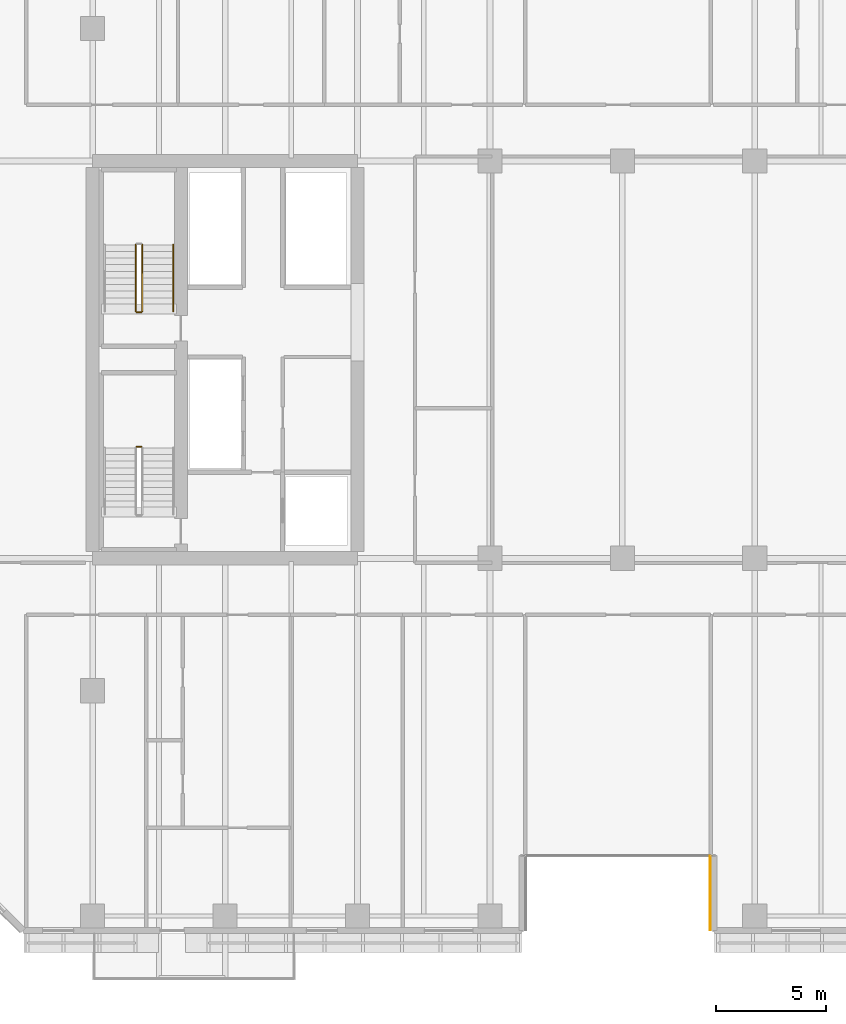
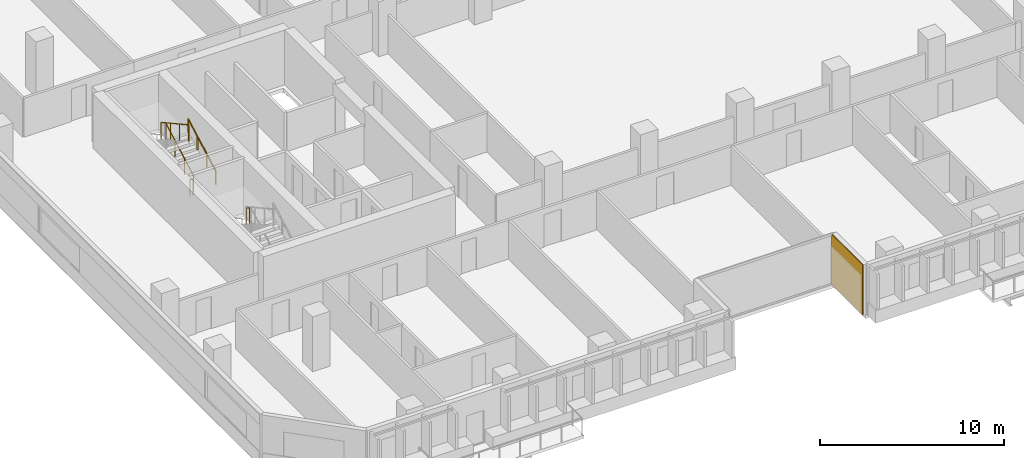
# One storey, part 19 of 25: 5 railings, 1 covering.
"""IFC4 building model written with IfcOpenShell, lengths in metres."""

from ifc_helpers import new_model, si_unit, direction, frame, origin, origin_2d, place, context, subcontext, project, spatial, rectangle, extrude, material, layer, layer_set, type_object, element, save


model = new_model("IFC4")

# Units and contexts
model_context = context("Model", 3, precision=1e-05, world=origin(), true_north=direction((0.0, 1.0)))
body_context = subcontext(model_context, "Body", "Model", "MODEL_VIEW")
ifc_project = project(units=[si_unit("LENGTHUNIT", "METRE"), si_unit("AREAUNIT", "SQUARE_METRE"), si_unit("VOLUMEUNIT", "CUBIC_METRE"), si_unit("PLANEANGLEUNIT", "RADIAN"), si_unit("MASSUNIT", "GRAM", prefix="KILO")], contexts=[model_context])

# Site, building, storey
site_placement = place(None, origin())
site = spatial("IfcSite", under=ifc_project, at=site_placement, CompositionType="ELEMENT")
building_placement = place(site_placement, origin())
building = spatial("IfcBuilding", under=site, at=building_placement, Name="Tanjung Sevakor Pilgrim Tower", CompositionType="ELEMENT")
storey_placement = place(building_placement, frame((0.0, 0.0, 69.6298828125)))
storey = spatial("IfcBuildingStorey", under=building, at=storey_placement, Name="L19", CompositionType="ELEMENT", Elevation=69.6298828125)

# Covering
ifc_material_1 = material(Name="Reconstructed Limestone Cladding", Category="masonry")
ifc_layer = layer(ifc_material_1, 0.044921875)
ifc_layer_set = layer_set([ifc_layer], Name="COV-CLAD-LIMESTONE")
covering_type = type_object("IfcCoveringType", Name="COV-CLAD-LIMESTONE", PredefinedType="CLADDING", material=ifc_layer_set)
covering_placement = place(storey_placement, frame((51.9775390625, 9.43994140625, 0.02001953125), z_axis=(0.0, 0.0, 1.0), x_axis=(0.0, -1.0, 0.0)))
element("IfcCovering", 1, at=covering_placement, inside=storey, type_object=covering_type, Name="L19 Warm Limestone Wall Cladding EW-L19-MAIN-4", PredefinedType="CLADDING", context=body_context, shape_type="SweptSolid", body=[
    extrude(rectangle(XDim=3.360107421875, YDim=0.044921875, at=origin_2d()), origin(), (0.0, 0.0, 1.0), 3.31005859375),
])

# Railings
ifc_material_2 = material(Name="Steel S355J2", Category="steel")
railing_type_1 = type_object("IfcRailingType", Name="RL-STAIR-GUARD", PredefinedType="GUARDRAIL", material=ifc_material_2)
railing_1_placement = place(storey_placement, frame((26.199951171875, 29.64990234375, 1.815185546875)))
element("IfcRailing", 2, at=railing_1_placement, inside=storey, type_object=railing_type_1, Name="L19 TS-W1 stair guard 2", PredefinedType="GUARDRAIL", context=body_context, shape_type="SweptSolid", body=[
    extrude(rectangle(XDim=0.0479, YDim=0.0479), frame((0.0, 0.0, 1.076171875), z_axis=(-1.0, 0.0, 0.0), x_axis=(0.0, -1.0, 0.0)), (0.0, 0.0, 1.0), 0.199951171875),
    extrude(rectangle(XDim=0.042, YDim=0.042), origin(), (0.0, 0.0, 1.0), 1.052001953125),
    extrude(rectangle(XDim=0.042, YDim=0.042), frame((-0.199951171875, 0.0, 0.0)), (0.0, 0.0, 1.0), 1.052001953125),
])
railing_2_placement = place(storey_placement, frame((26.25, 35.800048828125, 0.1650390625)))
element("IfcRailing", 3, at=railing_2_placement, inside=storey, type_object=railing_type_1, Name="L19 TS-W2 stair guard 1", PredefinedType="GUARDRAIL", context=body_context, shape_type="SweptSolid", body=[
    extrude(rectangle(XDim=0.0479, YDim=0.0479), frame((0.0, 0.0, 1.076171875), z_axis=(0.0, 0.876197842262, 0.481951596342), x_axis=(-1.0, 0.0, 0.0)), (0.0, 0.0, 1.0), 3.423828125),
    extrude(rectangle(XDim=0.042, YDim=0.042), origin(), (0.0, 0.0, 1.0), 1.052001953125),
    extrude(rectangle(XDim=0.042, YDim=0.042), frame((0.0, 1.0, 0.550048828125)), (0.0, 0.0, 1.0), 1.052001953125),
    extrude(rectangle(XDim=0.042, YDim=0.042), frame((0.0, 2.0, 1.10009765625)), (0.0, 0.0, 1.0), 1.052001953125),
    extrude(rectangle(XDim=0.042, YDim=0.042), frame((0.0, 3.0, 1.650146484375)), (0.0, 0.0, 1.0), 1.052001953125),
])
railing_3_placement = place(storey_placement, frame((25.949951171875, 38.800048828125, 1.980224609375)))
element("IfcRailing", 4, at=railing_3_placement, inside=storey, type_object=railing_type_1, Name="L19 TS-W2 stair guard 3", PredefinedType="GUARDRAIL", context=body_context, shape_type="SweptSolid", body=[
    extrude(rectangle(XDim=0.0479, YDim=0.0479), frame((0.0, 0.0, 1.076171875), z_axis=(0.0, -0.876227952683, 0.48189685093), x_axis=(1.0, 0.0, 0.0)), (0.0, 0.0, 1.0), 3.423828125),
    extrude(rectangle(XDim=0.042, YDim=0.042), origin(), (0.0, 0.0, 1.0), 1.052001953125),
    extrude(rectangle(XDim=0.042, YDim=0.042), frame((0.0, -1.0, 0.550048828125)), (0.0, 0.0, 1.0), 1.052001953125),
    extrude(rectangle(XDim=0.042, YDim=0.042), frame((0.0, -2.0, 1.099853515625)), (0.0, 0.0, 1.0), 1.052001953125),
    extrude(rectangle(XDim=0.042, YDim=0.042), frame((0.0, -3.0, 1.64990234375)), (0.0, 0.0, 1.0), 1.052001953125),
])
railing_4_placement = place(storey_placement, frame((26.199951171875, 35.75, 0.0)))
element("IfcRailing", 5, at=railing_4_placement, inside=storey, type_object=railing_type_1, Name="L19 TS-W2 stair guard 4", PredefinedType="GUARDRAIL", context=body_context, shape_type="SweptSolid", body=[
    extrude(rectangle(XDim=0.0479, YDim=0.0479), frame((0.0, 0.0, 1.076171875), z_axis=(-1.0, 0.0, 0.0), x_axis=(0.0, -1.0, 0.0)), (0.0, 0.0, 1.0), 0.199951171875),
    extrude(rectangle(XDim=0.042, YDim=0.042), origin(), (0.0, 0.0, 1.0), 1.052001953125),
    extrude(rectangle(XDim=0.042, YDim=0.042), frame((-0.199951171875, 0.0, 0.0)), (0.0, 0.0, 1.0), 1.052001953125),
])
ifc_material_3 = material(Name="Steel S355J2", Category="steel")
railing_type_2 = type_object("IfcRailingType", Name="RL-STAIR-HAND", PredefinedType="HANDRAIL", material=ifc_material_3)
railing_5_placement = place(storey_placement, frame((27.64990234375, 35.800048828125, 0.1650390625)))
element("IfcRailing", 6, at=railing_5_placement, inside=storey, type_object=railing_type_2, Name="L19 TS-W2 stair handrail 1", PredefinedType="HANDRAIL", context=body_context, shape_type="SweptSolid", body=[
    extrude(rectangle(XDim=0.0479, YDim=0.0479), frame((0.0, 0.0, 0.8759765625), z_axis=(0.0, 0.876197842262, 0.481951596342), x_axis=(-1.0, 0.0, 0.0)), (0.0, 0.0, 1.0), 3.423828125),
    extrude(rectangle(XDim=0.042, YDim=0.042), origin(), (0.0, 0.0, 1.0), 0.851806640625),
    extrude(rectangle(XDim=0.042, YDim=0.042), frame((0.0, 1.0, 0.550048828125)), (0.0, 0.0, 1.0), 0.851806640625),
    extrude(rectangle(XDim=0.042, YDim=0.042), frame((0.0, 2.0, 1.10009765625)), (0.0, 0.0, 1.0), 0.851806640625),
    extrude(rectangle(XDim=0.042, YDim=0.042), frame((0.0, 3.0, 1.650146484375)), (0.0, 0.0, 1.0), 0.851806640625),
])

save(model, "model.ifc")
